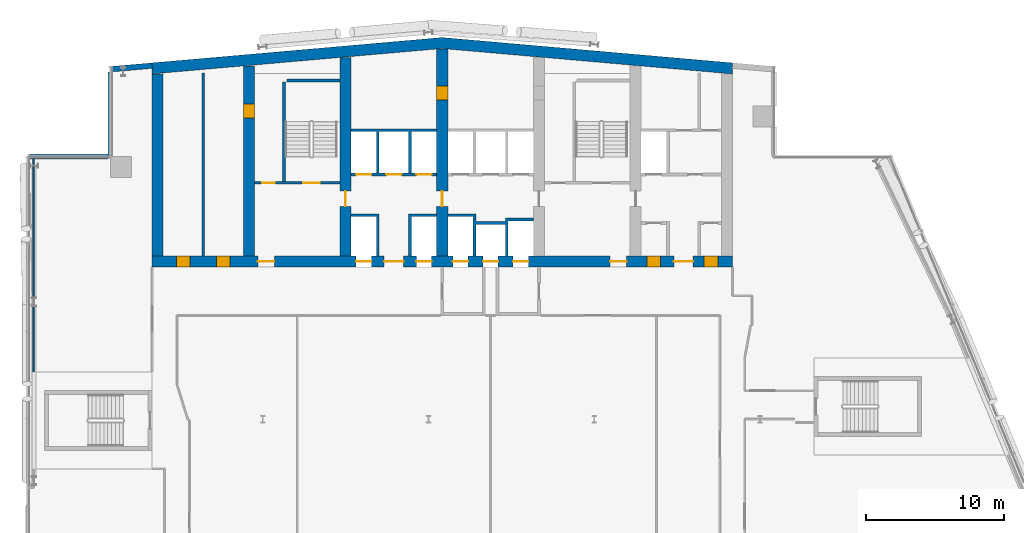
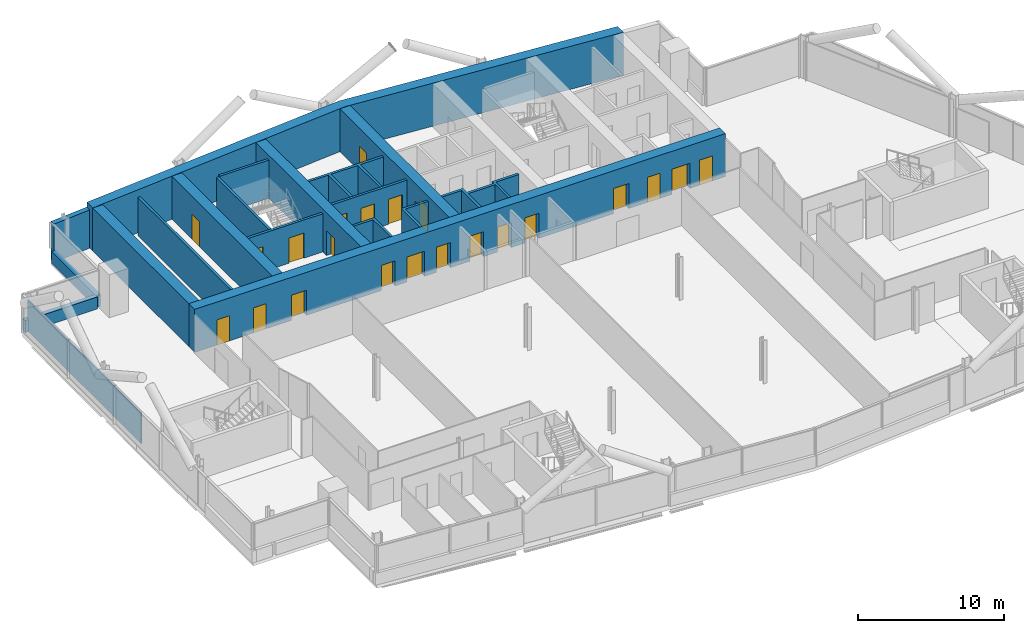
# One storey, part 18 of 26: 22 doors, 19 walls, 22 openings.
"""IFC4 building model written with IfcOpenShell, lengths in metres."""

from ifc_helpers import new_model, si_unit, direction, frame, frame_2d, origin, place, context, subcontext, project, spatial, polyline, rectangle, outline, extrude, material, layer, layer_set, type_object, element, fill, save


model = new_model("IFC4")

# Units and contexts
model_context = context("Model", 3, precision=1e-05, world=origin(), true_north=direction((0.0, 1.0)))
body_context = subcontext(model_context, "Body", "Model", "MODEL_VIEW")
ifc_project = project(units=[si_unit("LENGTHUNIT", "METRE"), si_unit("AREAUNIT", "SQUARE_METRE"), si_unit("VOLUMEUNIT", "CUBIC_METRE"), si_unit("PLANEANGLEUNIT", "RADIAN"), si_unit("MASSUNIT", "GRAM", prefix="KILO")], contexts=[model_context])

# Site, building, storey
site_placement = place(None, origin())
site = spatial("IfcSite", under=ifc_project, at=site_placement, CompositionType="ELEMENT")
building_placement = place(site_placement, origin())
building = spatial("IfcBuilding", under=site, at=building_placement, Name="Wharfspan Tower", CompositionType="ELEMENT")
storey_placement = place(building_placement, frame((0.0, 0.0, 184.300049)))
storey = spatial("IfcBuildingStorey", under=building, at=storey_placement, Name="L45", CompositionType="ELEMENT", Elevation=184.300049)

# Walls
ifc_material_1 = material(Name="Calcium silicate masonry", Category="masonry")
ifc_layer_1 = layer(ifc_material_1, 0.199951)
ifc_layer_set_1 = layer_set([ifc_layer_1], Name="Calcium silicate masonry")
wall_type_1 = type_object("IfcWallType", Name="Core room wall 200", PredefinedType="PARTITIONING", material=ifc_layer_set_1)
wall_1_placement = place(storey_placement, frame((19.699951, 34.800049, 0.0), z_axis=(0.0, 0.0, 1.0), x_axis=(0.0, 1.0, 0.0)))
element("IfcWall", 1, at=wall_1_placement, inside=storey, type_object=wall_type_1, Name="sw:L45:RM1", PredefinedType="PARTITIONING", context=body_context, shape_type="SweptSolid", body=[
    extrude(rectangle(XDim=13.234131, YDim=0.199951, at=frame_2d((6.617188, 0.0))), origin(), (0.0, 0.0, 1.0), 3.199951),
])
ifc_material_2 = material(Name="Concrete C60/75", Category="concrete")
ifc_layer_2 = layer(ifc_material_2, 0.800049)
ifc_layer_set_2 = layer_set([ifc_layer_2], Name="Concrete C60/75")
wall_type_2 = type_object("IfcWallType", Name="Core wall 800 C60/75", PredefinedType="SHEAR", material=ifc_layer_set_2)
wall_2_placement = place(storey_placement, frame((0.0, 0.0, -0.000244)))
element("IfcWall", 2, at=wall_2_placement, inside=storey, type_object=wall_type_2, Name="Core rear wall L45", PredefinedType="SHEAR", context=body_context, shape_type="SweptSolid", body=[
    extrude(outline(polyline([(16.0, 47.984375), (37.0, 49.821533), (58.0, 47.984375), (58.0, 48.787354), (37.0, 50.624756), (16.0, 48.787354), (16.0, 47.984375)])), origin(), (0.0, 0.0, 1.0), 3.600098),
])

# Wall, openings, doors
wall_3_placement = place(storey_placement, frame((16.0, 34.399902, 0.0), z_axis=(0.0, 0.0, 1.0), x_axis=(1.0, 0.0, 0.0)))
wall_3 = element("IfcWall", 3, at=wall_3_placement, inside=storey, type_object=wall_type_2, Name="Core front wall L45", PredefinedType="SHEAR", context=body_context, shape_type="SweptSolid", body=[
    extrude(rectangle(XDim=42.0, YDim=0.800049, at=frame_2d((21.0, 0.0))), origin(), (0.0, 0.0, 1.0), 3.599854),
])
opening_1_placement = place(wall_3_placement, frame((1.75, 0.0, 0.0)))
opening_1 = element("IfcOpeningElement", 4, at=opening_1_placement, cuts=wall_3, Name="Opening CD45.11", PredefinedType="OPENING", context=body_context, shape_type="SweptSolid", body=[
    extrude(rectangle(XDim=1.0, YDim=2.100098, at=frame_2d((0.5, 1.050049))), frame((0.0, 0.409912, 0.0), z_axis=(0.0, -1.0, 0.0), x_axis=(1.0, 0.0, 0.0)), (0.0, 0.0, 1.0), 0.820068),
])
opening_2_placement = place(wall_3_placement, frame((4.649902, 0.0, 0.0)))
opening_2 = element("IfcOpeningElement", 5, at=opening_2_placement, cuts=wall_3, Name="Opening CD45.12", PredefinedType="OPENING", context=body_context, shape_type="SweptSolid", body=[
    extrude(rectangle(XDim=1.0, YDim=2.100098, at=frame_2d((0.5, 1.050049))), frame((0.0, 0.409912, 0.0), z_axis=(0.0, -1.0, 0.0), x_axis=(1.0, 0.0, 0.0)), (0.0, 0.0, 1.0), 0.820068),
])
opening_3_placement = place(wall_3_placement, frame((7.649902, 0.0, 0.0)))
opening_3 = element("IfcOpeningElement", 6, at=opening_3_placement, cuts=wall_3, Name="Opening SV2.L45", PredefinedType="OPENING", context=body_context, shape_type="SweptSolid", body=[
    extrude(rectangle(XDim=1.199951, YDim=2.100098, at=frame_2d((0.600098, 1.050049))), frame((0.0, 0.409912, 0.0), z_axis=(0.0, -1.0, 0.0), x_axis=(1.0, 0.0, 0.0)), (0.0, 0.0, 1.0), 0.820068),
])
opening_4_placement = place(wall_3_placement, frame((14.766602, 0.0, 0.0)))
opening_4 = element("IfcOpeningElement", 7, at=opening_4_placement, cuts=wall_3, Name="Opening LD.SL1.L45", PredefinedType="OPENING", context=body_context, shape_type="SweptSolid", body=[
    extrude(rectangle(XDim=1.100098, YDim=2.100098, at=frame_2d((0.550049, 1.050049))), frame((0.0, 0.409912, 0.0), z_axis=(0.0, -1.0, 0.0), x_axis=(1.0, 0.0, 0.0)), (0.0, 0.0, 1.0), 0.820068),
])
opening_5_placement = place(wall_3_placement, frame((19.133301, 0.0, 0.0)))
opening_5 = element("IfcOpeningElement", 8, at=opening_5_placement, cuts=wall_3, Name="Opening LD.SL2.L45", PredefinedType="OPENING", context=body_context, shape_type="SweptSolid", body=[
    extrude(rectangle(XDim=1.100098, YDim=2.100098, at=frame_2d((0.550049, 1.050049))), frame((0.0, 0.409912, 0.0), z_axis=(0.0, -1.0, 0.0), x_axis=(1.0, 0.0, 0.0)), (0.0, 0.0, 1.0), 0.820068),
])
opening_6_placement = place(wall_3_placement, frame((16.800049, 0.0, 0.0)))
opening_6 = element("IfcOpeningElement", 9, at=opening_6_placement, cuts=wall_3, Name="Opening HD45.3", PredefinedType="OPENING", context=body_context, shape_type="SweptSolid", body=[
    extrude(rectangle(XDim=1.399902, YDim=2.100098, at=frame_2d((0.699951, 1.050049))), frame((0.0, 0.409912, 0.0), z_axis=(0.0, -1.0, 0.0), x_axis=(1.0, 0.0, 0.0)), (0.0, 0.0, 1.0), 0.820068),
])
opening_7_placement = place(wall_3_placement, frame((21.766602, 0.0, 0.0)))
opening_7 = element("IfcOpeningElement", 10, at=opening_7_placement, cuts=wall_3, Name="Opening LD.FF1.L45", PredefinedType="OPENING", context=body_context, shape_type="SweptSolid", body=[
    extrude(rectangle(XDim=1.100098, YDim=2.100098, at=frame_2d((0.550049, 1.050049))), frame((0.0, 0.409912, 0.0), z_axis=(0.0, -1.0, 0.0), x_axis=(1.0, 0.0, 0.0)), (0.0, 0.0, 1.0), 0.820068),
])
opening_8_placement = place(wall_3_placement, frame((23.949951, 0.0, 0.0)))
opening_8 = element("IfcOpeningElement", 11, at=opening_8_placement, cuts=wall_3, Name="Opening LD.LB7.L45", PredefinedType="OPENING", context=body_context, shape_type="SweptSolid", body=[
    extrude(rectangle(XDim=1.100098, YDim=2.100098, at=frame_2d((0.550049, 1.050049))), frame((0.0, 0.409912, 0.0), z_axis=(0.0, -1.0, 0.0), x_axis=(1.0, 0.0, 0.0)), (0.0, 0.0, 1.0), 0.820068),
])
opening_9_placement = place(wall_3_placement, frame((26.133301, 0.0, 0.0)))
opening_9 = element("IfcOpeningElement", 12, at=opening_9_placement, cuts=wall_3, Name="Opening LD.FF2.L45", PredefinedType="OPENING", context=body_context, shape_type="SweptSolid", body=[
    extrude(rectangle(XDim=1.100098, YDim=2.100098, at=frame_2d((0.550049, 1.050049))), frame((0.0, 0.409912, 0.0), z_axis=(0.0, -1.0, 0.0), x_axis=(1.0, 0.0, 0.0)), (0.0, 0.0, 1.0), 0.820068),
])
opening_10_placement = place(wall_3_placement, frame((33.149902, 0.0, 0.0)))
opening_10 = element("IfcOpeningElement", 13, at=opening_10_placement, cuts=wall_3, Name="Opening SV5.L45", PredefinedType="OPENING", context=body_context, shape_type="SweptSolid", body=[
    extrude(rectangle(XDim=1.199951, YDim=2.100098, at=frame_2d((0.600098, 1.050049))), frame((0.0, 0.409912, 0.0), z_axis=(0.0, -1.0, 0.0), x_axis=(1.0, 0.0, 0.0)), (0.0, 0.0, 1.0), 0.820068),
])
opening_11_placement = place(wall_3_placement, frame((35.81665, 0.0, 0.0)))
opening_11 = element("IfcOpeningElement", 14, at=opening_11_placement, cuts=wall_3, Name="Opening CD45.6F1", PredefinedType="OPENING", context=body_context, shape_type="SweptSolid", body=[
    extrude(rectangle(XDim=1.0, YDim=2.100098, at=frame_2d((0.5, 1.050049))), frame((0.0, 0.409912, 0.0), z_axis=(0.0, -1.0, 0.0), x_axis=(1.0, 0.0, 0.0)), (0.0, 0.0, 1.0), 0.820068),
])
opening_12_placement = place(wall_3_placement, frame((39.949951, 0.0, 0.0)))
opening_12 = element("IfcOpeningElement", 15, at=opening_12_placement, cuts=wall_3, Name="Opening CD45.6F3", PredefinedType="OPENING", context=body_context, shape_type="SweptSolid", body=[
    extrude(rectangle(XDim=1.0, YDim=2.100098, at=frame_2d((0.5, 1.050049))), frame((0.0, 0.409912, 0.0), z_axis=(0.0, -1.0, 0.0), x_axis=(1.0, 0.0, 0.0)), (0.0, 0.0, 1.0), 0.820068),
])
opening_13_placement = place(wall_3_placement, frame((37.766602, 0.0, 0.0)))
opening_13 = element("IfcOpeningElement", 16, at=opening_13_placement, cuts=wall_3, Name="Opening HD45.6", PredefinedType="OPENING", context=body_context, shape_type="SweptSolid", body=[
    extrude(rectangle(XDim=1.399902, YDim=2.100098, at=frame_2d((0.699951, 1.050049))), frame((0.0, 0.409912, 0.0), z_axis=(0.0, -1.0, 0.0), x_axis=(1.0, 0.0, 0.0)), (0.0, 0.0, 1.0), 0.820068),
])
ifc_material_3 = material(Name="Steel door leaf", Category="steel")
door_type_1 = type_object("IfcDoorType", Name="Core room door 1000x2100", OperationType="SINGLE_SWING_LEFT", PredefinedType="DOOR", material=ifc_material_3)
door_1_placement = place(opening_1_placement, origin())
door_1 = element("IfcDoor", 17, at=door_1_placement, inside=storey, type_object=door_type_1, Name="d:L45:1:rf", OperationType="SINGLE_SWING_LEFT", OverallHeight=2.100098, OverallWidth=1.0, PredefinedType="DOOR", context=body_context, shape_type="SweptSolid", body=[
    extrude(rectangle(XDim=1.0, YDim=2.100098, at=frame_2d((0.5, 1.050049))), frame((0.0, 0.399902, 0.0), z_axis=(0.0, -1.0, 0.0), x_axis=(1.0, 0.0, 0.0)), (0.0, 0.0, 1.0), 0.799561),
])
fill(opening_1, door_1)
door_2_placement = place(opening_2_placement, origin())
door_2 = element("IfcDoor", 18, at=door_2_placement, inside=storey, type_object=door_type_1, Name="d:L45:1:rr", OperationType="SINGLE_SWING_RIGHT", OverallHeight=2.100098, OverallWidth=1.0, PredefinedType="DOOR", context=body_context, shape_type="SweptSolid", body=[
    extrude(rectangle(XDim=1.0, YDim=2.100098, at=frame_2d((0.5, 1.050049))), frame((0.0, 0.399902, 0.0), z_axis=(0.0, -1.0, 0.0), x_axis=(1.0, 0.0, 0.0)), (0.0, 0.0, 1.0), 0.799561),
])
fill(opening_2, door_2)
door_3_placement = place(opening_11_placement, origin())
door_3 = element("IfcDoor", 19, at=door_3_placement, inside=storey, type_object=door_type_1, Name="d:L45:6:fd6.1", OperationType="SINGLE_SWING_LEFT", OverallHeight=2.100098, OverallWidth=1.0, PredefinedType="DOOR", context=body_context, shape_type="SweptSolid", body=[
    extrude(rectangle(XDim=1.0, YDim=2.100098, at=frame_2d((0.5, 1.050049))), frame((0.0, 0.399902, 0.0), z_axis=(0.0, -1.0, 0.0), x_axis=(1.0, 0.0, 0.0)), (0.0, 0.0, 1.0), 0.799561),
])
fill(opening_11, door_3)
door_4_placement = place(opening_12_placement, origin())
door_4 = element("IfcDoor", 20, at=door_4_placement, inside=storey, type_object=door_type_1, Name="d:L45:6:fd6.3", OperationType="SINGLE_SWING_LEFT", OverallHeight=2.100098, OverallWidth=1.0, PredefinedType="DOOR", context=body_context, shape_type="SweptSolid", body=[
    extrude(rectangle(XDim=1.0, YDim=2.100098, at=frame_2d((0.5, 1.050049))), frame((0.0, 0.399902, 0.0), z_axis=(0.0, -1.0, 0.0), x_axis=(1.0, 0.0, 0.0)), (0.0, 0.0, 1.0), 0.799561),
])
fill(opening_12, door_4)
door_type_2 = type_object("IfcDoorType", Name="Hall entry door 1400x2100", OperationType="DOUBLE_DOOR_SINGLE_SWING", PredefinedType="DOOR", material=ifc_material_3)
door_5_placement = place(opening_6_placement, origin())
door_5 = element("IfcDoor", 21, at=door_5_placement, inside=storey, type_object=door_type_2, Name="d:L45:3:hd3", OperationType="DOUBLE_DOOR_SINGLE_SWING", OverallHeight=2.100098, OverallWidth=1.399902, PredefinedType="DOOR", context=body_context, shape_type="SweptSolid", body=[
    extrude(rectangle(XDim=1.399902, YDim=2.100098, at=frame_2d((0.699951, 1.050049))), frame((0.0, 0.024902, 0.0), z_axis=(0.0, -1.0, 0.0), x_axis=(1.0, 0.0, 0.0)), (0.0, 0.0, 1.0), 0.050049),
])
fill(opening_6, door_5)
door_6_placement = place(opening_13_placement, origin())
door_6 = element("IfcDoor", 22, at=door_6_placement, inside=storey, type_object=door_type_2, Name="d:L45:6:hd6", OperationType="DOUBLE_DOOR_SINGLE_SWING", OverallHeight=2.100098, OverallWidth=1.399902, PredefinedType="DOOR", context=body_context, shape_type="SweptSolid", body=[
    extrude(rectangle(XDim=1.399902, YDim=2.100098, at=frame_2d((0.699951, 1.050049))), frame((0.0, 0.024902, 0.0), z_axis=(0.0, -1.0, 0.0), x_axis=(1.0, 0.0, 0.0)), (0.0, 0.0, 1.0), 0.050049),
])
fill(opening_13, door_6)
ifc_material_4 = material(Name="Stainless steel", Category="steel")
door_type_3 = type_object("IfcDoorType", Name="Lift landing door 1100x2100", OperationType="DOUBLE_DOOR_SLIDING", PredefinedType="DOOR", material=ifc_material_4)
door_7_placement = place(opening_4_placement, origin())
door_7 = element("IfcDoor", 23, at=door_7_placement, inside=storey, type_object=door_type_3, Name="Landing door SL1 L45", OperationType="DOUBLE_DOOR_SLIDING", OverallHeight=2.100098, OverallWidth=1.100098, PredefinedType="DOOR", context=body_context, shape_type="SweptSolid", body=[
    extrude(rectangle(XDim=1.100098, YDim=2.100098, at=frame_2d((0.550049, 1.050049))), frame((0.0, 0.024902, 0.0), z_axis=(0.0, -1.0, 0.0), x_axis=(1.0, 0.0, 0.0)), (0.0, 0.0, 1.0), 0.050049),
])
fill(opening_4, door_7)
door_8_placement = place(opening_5_placement, origin())
door_8 = element("IfcDoor", 24, at=door_8_placement, inside=storey, type_object=door_type_3, Name="Landing door SL2 L45", OperationType="DOUBLE_DOOR_SLIDING", OverallHeight=2.100098, OverallWidth=1.100098, PredefinedType="DOOR", context=body_context, shape_type="SweptSolid", body=[
    extrude(rectangle(XDim=1.100098, YDim=2.100098, at=frame_2d((0.550049, 1.050049))), frame((0.0, 0.024902, 0.0), z_axis=(0.0, -1.0, 0.0), x_axis=(1.0, 0.0, 0.0)), (0.0, 0.0, 1.0), 0.050049),
])
fill(opening_5, door_8)
door_9_placement = place(opening_7_placement, origin())
door_9 = element("IfcDoor", 25, at=door_9_placement, inside=storey, type_object=door_type_3, Name="Landing door FF1 L45", OperationType="DOUBLE_DOOR_SLIDING", OverallHeight=2.100098, OverallWidth=1.100098, PredefinedType="DOOR", context=body_context, shape_type="SweptSolid", body=[
    extrude(rectangle(XDim=1.100098, YDim=2.100098, at=frame_2d((0.550049, 1.050049))), frame((0.0, 0.024902, 0.0), z_axis=(0.0, -1.0, 0.0), x_axis=(1.0, 0.0, 0.0)), (0.0, 0.0, 1.0), 0.050049),
])
fill(opening_7, door_9)
door_10_placement = place(opening_8_placement, origin())
door_10 = element("IfcDoor", 26, at=door_10_placement, inside=storey, type_object=door_type_3, Name="Landing door LB7 L45", OperationType="DOUBLE_DOOR_SLIDING", OverallHeight=2.100098, OverallWidth=1.100098, PredefinedType="DOOR", context=body_context, shape_type="SweptSolid", body=[
    extrude(rectangle(XDim=1.100098, YDim=2.100098, at=frame_2d((0.550049, 1.050049))), frame((0.0, 0.024902, 0.0), z_axis=(0.0, -1.0, 0.0), x_axis=(1.0, 0.0, 0.0)), (0.0, 0.0, 1.0), 0.050049),
])
fill(opening_8, door_10)
door_11_placement = place(opening_9_placement, origin())
door_11 = element("IfcDoor", 27, at=door_11_placement, inside=storey, type_object=door_type_3, Name="Landing door FF2 L45", OperationType="DOUBLE_DOOR_SLIDING", OverallHeight=2.100098, OverallWidth=1.100098, PredefinedType="DOOR", context=body_context, shape_type="SweptSolid", body=[
    extrude(rectangle(XDim=1.100098, YDim=2.100098, at=frame_2d((0.550049, 1.050049))), frame((0.0, 0.024902, 0.0), z_axis=(0.0, -1.0, 0.0), x_axis=(1.0, 0.0, 0.0)), (0.0, 0.0, 1.0), 0.050049),
])
fill(opening_9, door_11)
door_type_4 = type_object("IfcDoorType", Name="Stair door 1200x2100", OperationType="SINGLE_SWING_LEFT", PredefinedType="DOOR", material=ifc_material_3)
door_12_placement = place(opening_3_placement, origin())
door_12 = element("IfcDoor", 28, at=door_12_placement, inside=storey, type_object=door_type_4, Name="vd:L45:2", OperationType="SINGLE_SWING_LEFT", OverallHeight=2.100098, OverallWidth=1.199951, PredefinedType="DOOR", context=body_context, shape_type="SweptSolid", body=[
    extrude(rectangle(XDim=1.199951, YDim=2.100098, at=frame_2d((0.600098, 1.050049))), frame((0.0, 0.024902, 0.0), z_axis=(0.0, -1.0, 0.0), x_axis=(1.0, 0.0, 0.0)), (0.0, 0.0, 1.0), 0.050049),
])
fill(opening_3, door_12)
door_13_placement = place(opening_10_placement, origin())
door_13 = element("IfcDoor", 29, at=door_13_placement, inside=storey, type_object=door_type_4, Name="vd:L45:5", OperationType="SINGLE_SWING_LEFT", OverallHeight=2.100098, OverallWidth=1.199951, PredefinedType="DOOR", context=body_context, shape_type="SweptSolid", body=[
    extrude(rectangle(XDim=1.199951, YDim=2.100098, at=frame_2d((0.600098, 1.050049))), frame((0.0, 0.024902, 0.0), z_axis=(0.0, -1.0, 0.0), x_axis=(1.0, 0.0, 0.0)), (0.0, 0.0, 1.0), 0.050049),
])
fill(opening_10, door_13)

# Wall
wall_4_placement = place(storey_placement, frame((16.399902, 34.800049, 0.0), z_axis=(0.0, 0.0, 1.0), x_axis=(0.0, 1.0, 0.0)))
element("IfcWall", 30, at=wall_4_placement, inside=storey, type_object=wall_type_2, Name="Core cross wall EW0 L45", PredefinedType="SHEAR", context=body_context, shape_type="SweptSolid", body=[
    extrude(rectangle(XDim=13.184326, YDim=0.800049, at=frame_2d((6.592285, 0.0))), origin(), (0.0, 0.0, 1.0), 3.599854),
])

# Wall, opening, door
wall_5_placement = place(storey_placement, frame((23.0, 34.800049, 0.0), z_axis=(0.0, 0.0, 1.0), x_axis=(0.0, 1.0, 0.0)))
wall_5 = element("IfcWall", 31, at=wall_5_placement, inside=storey, type_object=wall_type_2, Name="Core cross wall X2 L45", PredefinedType="SHEAR", context=body_context, shape_type="SweptSolid", body=[
    extrude(rectangle(XDim=13.761719, YDim=0.800049, at=frame_2d((6.880859, 0.0))), origin(), (0.0, 0.0, 1.0), 3.599854),
])
opening_14_placement = place(wall_5_placement, frame((10.0, 0.0, 0.0)))
opening_14 = element("IfcOpeningElement", 32, at=opening_14_placement, cuts=wall_5, Name="Opening CR45.2", PredefinedType="OPENING", context=body_context, shape_type="SweptSolid", body=[
    extrude(rectangle(XDim=1.0, YDim=2.100098, at=frame_2d((0.5, 1.050049))), frame((0.0, 0.409912, 0.0), z_axis=(0.0, -1.0, 0.0), x_axis=(1.0, 0.0, 0.0)), (0.0, 0.0, 1.0), 0.820068),
])
door_14_placement = place(opening_14_placement, origin())
door_14 = element("IfcDoor", 33, at=door_14_placement, inside=storey, type_object=door_type_1, Name="xr:L45:2", OperationType="SINGLE_SWING_RIGHT", OverallHeight=2.100098, OverallWidth=1.0, PredefinedType="DOOR", context=body_context, shape_type="SweptSolid", body=[
    extrude(rectangle(XDim=1.0, YDim=2.100098, at=frame_2d((0.5, 1.050049))), frame((0.0, 0.399902, 0.0), z_axis=(0.0, -1.0, 0.0), x_axis=(1.0, 0.0, 0.0)), (0.0, 0.0, 1.0), 0.799561),
])
fill(opening_14, door_14)

wall_6_placement = place(storey_placement, frame((30.0, 34.800049, 0.0), z_axis=(0.0, 0.0, 1.0), x_axis=(0.0, 1.0, 0.0)))
wall_6 = element("IfcWall", 34, at=wall_6_placement, inside=storey, type_object=wall_type_2, Name="Core cross wall X3 L45", PredefinedType="SHEAR", context=body_context, shape_type="SweptSolid", body=[
    extrude(rectangle(XDim=14.374023, YDim=0.800049, at=frame_2d((7.187012, 0.0))), origin(), (0.0, 0.0, 1.0), 3.599854),
])
opening_15_placement = place(wall_6_placement, frame((3.600098, 0.0, 0.0)))
opening_15 = element("IfcOpeningElement", 35, at=opening_15_placement, cuts=wall_6, Name="Opening CC45.3", PredefinedType="OPENING", context=body_context, shape_type="SweptSolid", body=[
    extrude(rectangle(XDim=1.100098, YDim=2.100098, at=frame_2d((0.550049, 1.050049))), frame((0.0, 0.409912, 0.0), z_axis=(0.0, -1.0, 0.0), x_axis=(1.0, 0.0, 0.0)), (0.0, 0.0, 1.0), 0.820068),
])
door_type_5 = type_object("IfcDoorType", Name="Core corridor door 1100x2100", OperationType="SINGLE_SWING_LEFT", PredefinedType="DOOR", material=ifc_material_3)
door_15_placement = place(opening_15_placement, origin())
door_15 = element("IfcDoor", 36, at=door_15_placement, inside=storey, type_object=door_type_5, Name="xd:L45:3", OperationType="SINGLE_SWING_LEFT", OverallHeight=2.100098, OverallWidth=1.100098, PredefinedType="DOOR", context=body_context, shape_type="SweptSolid", body=[
    extrude(rectangle(XDim=1.100098, YDim=2.100098, at=frame_2d((0.550049, 1.050049))), frame((0.0, 0.024902, 0.0), z_axis=(0.0, -1.0, 0.0), x_axis=(1.0, 0.0, 0.0)), (0.0, 0.0, 1.0), 0.050049),
])
fill(opening_15, door_15)

# Wall, openings, doors
wall_7_placement = place(storey_placement, frame((37.0, 34.800049, 0.0), z_axis=(0.0, 0.0, 1.0), x_axis=(0.0, 1.0, 0.0)))
wall_7 = element("IfcWall", 37, at=wall_7_placement, inside=storey, type_object=wall_type_2, Name="Core cross wall X4 L45", PredefinedType="SHEAR", context=body_context, shape_type="SweptSolid", body=[
    extrude(rectangle(XDim=14.986572, YDim=0.800049, at=frame_2d((7.493164, 0.0))), origin(), (0.0, 0.0, 1.0), 3.599854),
])
opening_16_placement = place(wall_7_placement, frame((11.312012, 0.0, 0.0)))
opening_16 = element("IfcOpeningElement", 38, at=opening_16_placement, cuts=wall_7, Name="Opening CD45.3X", PredefinedType="OPENING", context=body_context, shape_type="SweptSolid", body=[
    extrude(rectangle(XDim=1.0, YDim=2.100098, at=frame_2d((0.5, 1.050049))), frame((0.0, 0.409912, 0.0), z_axis=(0.0, -1.0, 0.0), x_axis=(1.0, 0.0, 0.0)), (0.0, 0.0, 1.0), 0.820068),
])
opening_17_placement = place(wall_7_placement, frame((3.600098, 0.0, 0.0)))
opening_17 = element("IfcOpeningElement", 39, at=opening_17_placement, cuts=wall_7, Name="Opening CC45.4", PredefinedType="OPENING", context=body_context, shape_type="SweptSolid", body=[
    extrude(rectangle(XDim=1.100098, YDim=2.100098, at=frame_2d((0.550049, 1.050049))), frame((0.0, 0.409912, 0.0), z_axis=(0.0, -1.0, 0.0), x_axis=(1.0, 0.0, 0.0)), (0.0, 0.0, 1.0), 0.820068),
])
door_16_placement = place(opening_17_placement, origin())
door_16 = element("IfcDoor", 40, at=door_16_placement, inside=storey, type_object=door_type_5, Name="xd:L45:4", OperationType="SINGLE_SWING_RIGHT", OverallHeight=2.100098, OverallWidth=1.100098, PredefinedType="DOOR", context=body_context, shape_type="SweptSolid", body=[
    extrude(rectangle(XDim=1.100098, YDim=2.100098, at=frame_2d((0.550049, 1.050049))), frame((0.0, 0.024902, 0.0), z_axis=(0.0, -1.0, 0.0), x_axis=(1.0, 0.0, 0.0)), (0.0, 0.0, 1.0), 0.050049),
])
fill(opening_17, door_16)
door_17_placement = place(opening_16_placement, origin())
door_17 = element("IfcDoor", 41, at=door_17_placement, inside=storey, type_object=door_type_1, Name="d:L45:3:sx", OperationType="SINGLE_SWING_LEFT", OverallHeight=2.100098, OverallWidth=1.0, PredefinedType="DOOR", context=body_context, shape_type="SweptSolid", body=[
    extrude(rectangle(XDim=1.0, YDim=2.100098, at=frame_2d((0.5, 1.050049))), frame((0.0, 0.399902, 0.0), z_axis=(0.0, -1.0, 0.0), x_axis=(1.0, 0.0, 0.0)), (0.0, 0.0, 1.0), 0.799561),
])
fill(opening_16, door_17)

ifc_material_5 = material(Name="Concrete C30/37", Category="concrete")
ifc_layer_3 = layer(ifc_material_5, 0.199951)
ifc_layer_set_3 = layer_set([ifc_layer_3], Name="Concrete C30/37")
wall_type_3 = type_object("IfcWallType", Name="Lift shaft wall 200", PredefinedType="PARTITIONING", material=ifc_layer_set_3)
wall_8_placement = place(storey_placement, frame((30.399902, 40.699951, 0.0), z_axis=(0.0, 0.0, 1.0), x_axis=(1.0, 0.0, 0.0)))
wall_8 = element("IfcWall", 42, at=wall_8_placement, inside=storey, type_object=wall_type_3, Name="sw:L45:RF3", PredefinedType="PARTITIONING", context=body_context, shape_type="SweptSolid", body=[
    extrude(rectangle(XDim=6.200195, YDim=0.199951, at=frame_2d((3.100098, 0.0))), origin(), (0.0, 0.0, 1.0), 3.199951),
])
opening_18_placement = place(wall_8_placement, frame((0.366699, 0.0, 0.0)))
opening_18 = element("IfcOpeningElement", 43, at=opening_18_placement, cuts=wall_8, Name="Opening LD.LB1.L45", PredefinedType="OPENING", context=body_context, shape_type="SweptSolid", body=[
    extrude(rectangle(XDim=1.100098, YDim=2.100098, at=frame_2d((0.550049, 1.050049))), frame((0.0, 0.109863, 0.0), z_axis=(0.0, -1.0, 0.0), x_axis=(1.0, 0.0, 0.0)), (0.0, 0.0, 1.0), 0.219971),
])
opening_19_placement = place(wall_8_placement, frame((2.550049, 0.0, 0.0)))
opening_19 = element("IfcOpeningElement", 44, at=opening_19_placement, cuts=wall_8, Name="Opening LD.LB2.L45", PredefinedType="OPENING", context=body_context, shape_type="SweptSolid", body=[
    extrude(rectangle(XDim=1.100098, YDim=2.100098, at=frame_2d((0.550049, 1.050049))), frame((0.0, 0.109863, 0.0), z_axis=(0.0, -1.0, 0.0), x_axis=(1.0, 0.0, 0.0)), (0.0, 0.0, 1.0), 0.219971),
])
opening_20_placement = place(wall_8_placement, frame((4.733398, 0.0, 0.0)))
opening_20 = element("IfcOpeningElement", 45, at=opening_20_placement, cuts=wall_8, Name="Opening LD.LB3.L45", PredefinedType="OPENING", context=body_context, shape_type="SweptSolid", body=[
    extrude(rectangle(XDim=1.100098, YDim=2.100098, at=frame_2d((0.550049, 1.050049))), frame((0.0, 0.109863, 0.0), z_axis=(0.0, -1.0, 0.0), x_axis=(1.0, 0.0, 0.0)), (0.0, 0.0, 1.0), 0.219971),
])
door_18_placement = place(opening_18_placement, origin())
door_18 = element("IfcDoor", 46, at=door_18_placement, inside=storey, type_object=door_type_3, Name="Landing door LB1 L45", OperationType="DOUBLE_DOOR_SLIDING", OverallHeight=2.100098, OverallWidth=1.100098, PredefinedType="DOOR", context=body_context, shape_type="SweptSolid", body=[
    extrude(rectangle(XDim=1.100098, YDim=2.100098, at=frame_2d((0.550049, 1.050049))), frame((0.0, 0.024902, 0.0), z_axis=(0.0, -1.0, 0.0), x_axis=(1.0, 0.0, 0.0)), (0.0, 0.0, 1.0), 0.050049),
])
fill(opening_18, door_18)
door_19_placement = place(opening_19_placement, origin())
door_19 = element("IfcDoor", 47, at=door_19_placement, inside=storey, type_object=door_type_3, Name="Landing door LB2 L45", OperationType="DOUBLE_DOOR_SLIDING", OverallHeight=2.100098, OverallWidth=1.100098, PredefinedType="DOOR", context=body_context, shape_type="SweptSolid", body=[
    extrude(rectangle(XDim=1.100098, YDim=2.100098, at=frame_2d((0.550049, 1.050049))), frame((0.0, 0.024902, 0.0), z_axis=(0.0, -1.0, 0.0), x_axis=(1.0, 0.0, 0.0)), (0.0, 0.0, 1.0), 0.050049),
])
fill(opening_19, door_19)
door_20_placement = place(opening_20_placement, origin())
door_20 = element("IfcDoor", 48, at=door_20_placement, inside=storey, type_object=door_type_3, Name="Landing door LB3 L45", OperationType="DOUBLE_DOOR_SLIDING", OverallHeight=2.100098, OverallWidth=1.100098, PredefinedType="DOOR", context=body_context, shape_type="SweptSolid", body=[
    extrude(rectangle(XDim=1.100098, YDim=2.100098, at=frame_2d((0.550049, 1.050049))), frame((0.0, 0.024902, 0.0), z_axis=(0.0, -1.0, 0.0), x_axis=(1.0, 0.0, 0.0)), (0.0, 0.0, 1.0), 0.050049),
])
fill(opening_20, door_20)

# Walls
wall_9_placement = place(storey_placement, frame((0.0, 0.0, -0.000244)))
element("IfcWall", 49, at=wall_9_placement, inside=storey, type_object=wall_type_3, Name="sw:L45:FM3.0", PredefinedType="PARTITIONING", context=body_context, shape_type="SweptSolid", body=[
    extrude(outline(polyline([(32.233398, 37.649902), (30.399902, 37.649902), (30.399902, 37.850098), (32.233398, 37.850098), (32.43335, 37.850098), (32.43335, 34.800049), (32.233398, 34.800049), (32.233398, 37.649902)])), origin(), (0.0, 0.0, 1.0), 3.200195),
])
wall_10_placement = place(storey_placement, frame((0.0, 0.0, -0.000244)))
element("IfcWall", 50, at=wall_10_placement, inside=storey, type_object=wall_type_3, Name="sw:L45:FM3.1", PredefinedType="PARTITIONING", context=body_context, shape_type="SweptSolid", body=[
    extrude(outline(polyline([(34.56665, 37.850098), (34.766602, 37.850098), (36.600098, 37.850098), (36.600098, 37.649902), (34.766602, 37.649902), (34.766602, 34.800049), (34.56665, 34.800049), (34.56665, 37.850098)])), origin(), (0.0, 0.0, 1.0), 3.200195),
])
wall_11_placement = place(storey_placement, frame((0.0, 0.0, -0.000244)))
element("IfcWall", 51, at=wall_11_placement, inside=storey, type_object=wall_type_3, Name="sw:L45:RM3.0", PredefinedType="PARTITIONING", context=body_context, shape_type="SweptSolid", body=[
    extrude(outline(polyline([(32.43335, 40.800049), (32.233398, 40.800049), (32.233398, 43.800049), (30.399902, 43.800049), (30.399902, 44.0), (36.600098, 44.0), (36.600098, 43.800049), (34.766602, 43.800049), (34.766602, 40.800049), (34.56665, 40.800049), (34.56665, 43.800049), (32.43335, 43.800049), (32.43335, 40.800049)])), origin(), (0.0, 0.0, 1.0), 3.200195),
])
wall_12_placement = place(storey_placement, frame((0.0, 0.0, -0.000244)))
element("IfcWall", 52, at=wall_12_placement, inside=storey, type_object=wall_type_3, Name="sw:L45:FM4.0", PredefinedType="PARTITIONING", context=body_context, shape_type="SweptSolid", body=[
    extrude(outline(polyline([(41.56665, 37.100098), (39.43335, 37.100098), (39.43335, 34.800049), (39.233398, 34.800049), (39.233398, 37.649902), (37.399902, 37.649902), (37.399902, 37.850098), (39.233398, 37.850098), (39.43335, 37.850098), (39.43335, 37.300049), (41.56665, 37.300049), (41.56665, 37.550049), (41.766602, 37.550049), (43.600098, 37.550049), (43.600098, 37.350098), (41.766602, 37.350098), (41.766602, 34.800049), (41.56665, 34.800049), (41.56665, 37.100098)])), origin(), (0.0, 0.0, 1.0), 3.200195),
])
ifc_material_6 = material(Name="Gypsum board on steel studs", Category="steel")
ifc_layer_4 = layer(ifc_material_6, 0.100098)
ifc_layer_set_4 = layer_set([ifc_layer_4], Name="Gypsum board on steel studs")
wall_type_4 = type_object("IfcWallType", Name="Partition 100", PredefinedType="PARTITIONING", material=ifc_layer_set_4)
wall_13_placement = place(storey_placement, frame((7.419922, 26.419922, 0.0), z_axis=(0.0, 0.0, 1.0), x_axis=(0.0, 1.0, 0.0)))
element("IfcWall", 53, at=wall_13_placement, inside=storey, type_object=wall_type_4, Name="Partition L45.w003", PredefinedType="PARTITIONING", context=body_context, shape_type="SweptSolid", body=[
    extrude(rectangle(XDim=15.560059, YDim=0.100098, at=frame_2d((7.780029, 0.0))), origin(), (0.0, 0.0, 1.0), 2.579834),
])
ifc_material_7 = material(Name="Concrete C40/50", Category="concrete")
ifc_layer_5 = layer(ifc_material_7, 0.350098)
ifc_layer_set_5 = layer_set([ifc_layer_5], Name="Concrete C40/50")
wall_type_5 = type_object("IfcWallType", Name="SPANDREL EXPOSED CONCRETE 350", PredefinedType="SOLIDWALL", material=ifc_layer_set_5)
wall_14_placement = place(storey_placement, frame((12.995117, 48.126465, 0.0), z_axis=(0.0, 0.0, 1.0), x_axis=(0.0, -1.0, 0.0)))
element("IfcWall", 54, at=wall_14_placement, inside=storey, type_object=wall_type_5, Name="Spandrel upstand L45 NRW-V", PredefinedType="SOLIDWALL", context=body_context, shape_type="SweptSolid", body=[
    extrude(rectangle(XDim=6.126465, YDim=0.350098, at=frame_2d((3.063232, 0.0))), origin(), (0.0, 0.0, 1.0), 1.0),
])
wall_15_placement = place(storey_placement, frame((12.820068, 42.004883, 0.0), z_axis=(0.0, 0.0, 1.0), x_axis=(-1.0, 0.0, 0.0)))
element("IfcWall", 55, at=wall_15_placement, inside=storey, type_object=wall_type_5, Name="Spandrel upstand L45 NRW-H", PredefinedType="SOLIDWALL", context=body_context, shape_type="SweptSolid", body=[
    extrude(rectangle(XDim=5.699951, YDim=0.350098, at=frame_2d((2.850098, 0.0))), origin(), (0.0, 0.0, 1.0), 1.0),
])

# Wall, openings, doors
ifc_layer_6 = layer(ifc_material_7, 0.199951)
ifc_layer_set_6 = layer_set([ifc_layer_6], Name="Concrete C40/50")
wall_type_6 = type_object("IfcWallType", Name="Stair shaft wall 200", PredefinedType="SHEAR", material=ifc_layer_set_6)
wall_16_placement = place(storey_placement, frame((23.399902, 40.100098, 0.0), z_axis=(0.0, 0.0, 1.0), x_axis=(1.0, 0.0, 0.0)))
wall_16 = element("IfcWall", 56, at=wall_16_placement, inside=storey, type_object=wall_type_6, Name="ST1 stair enclosure wall L45", PredefinedType="SHEAR", context=body_context, shape_type="SweptSolid", body=[
    extrude(rectangle(XDim=6.200195, YDim=0.199951, at=frame_2d((3.100098, 0.0))), origin(), (0.0, 0.0, 1.0), 3.199951),
])
opening_21_placement = place(wall_16_placement, frame((3.524902, 0.0, 0.0)))
opening_21 = element("IfcOpeningElement", 57, at=opening_21_placement, cuts=wall_16, Name="Opening SD2.L45", PredefinedType="OPENING", context=body_context, shape_type="SweptSolid", body=[
    extrude(rectangle(XDim=1.199951, YDim=2.100098, at=frame_2d((0.600098, 1.050049))), frame((0.0, 0.109863, 0.0), z_axis=(0.0, -1.0, 0.0), x_axis=(1.0, 0.0, 0.0)), (0.0, 0.0, 1.0), 0.219971),
])
opening_22_placement = place(wall_16_placement, frame((0.574951, 0.0, 0.0)))
opening_22 = element("IfcOpeningElement", 58, at=opening_22_placement, cuts=wall_16, Name="Opening CD45.2R", PredefinedType="OPENING", context=body_context, shape_type="SweptSolid", body=[
    extrude(rectangle(XDim=0.899902, YDim=2.100098, at=frame_2d((0.449951, 1.050049))), frame((0.0, 0.109863, 0.0), z_axis=(0.0, -1.0, 0.0), x_axis=(1.0, 0.0, 0.0)), (0.0, 0.0, 1.0), 0.219971),
])
door_21_placement = place(opening_22_placement, origin())
door_21 = element("IfcDoor", 59, at=door_21_placement, inside=storey, type_object=door_type_1, Name="rk:L45:2", OperationType="SINGLE_SWING_LEFT", OverallHeight=2.100098, OverallWidth=0.899902, PredefinedType="DOOR", context=body_context, shape_type="SweptSolid", body=[
    extrude(rectangle(XDim=0.899902, YDim=2.100098, at=frame_2d((0.449951, 1.050049))), frame((0.0, 0.024902, 0.0), z_axis=(0.0, -1.0, 0.0), x_axis=(1.0, 0.0, 0.0)), (0.0, 0.0, 1.0), 0.050049),
])
fill(opening_22, door_21)
door_22_placement = place(opening_21_placement, origin())
door_22 = element("IfcDoor", 60, at=door_22_placement, inside=storey, type_object=door_type_4, Name="sd:L45:2", OperationType="SINGLE_SWING_RIGHT", OverallHeight=2.100098, OverallWidth=1.199951, PredefinedType="DOOR", context=body_context, shape_type="SweptSolid", body=[
    extrude(rectangle(XDim=1.199951, YDim=2.100098, at=frame_2d((0.600098, 1.050049))), frame((0.0, 0.024902, 0.0), z_axis=(0.0, -1.0, 0.0), x_axis=(1.0, 0.0, 0.0)), (0.0, 0.0, 1.0), 0.050049),
])
fill(opening_21, door_22)

# Walls
wall_17_placement = place(storey_placement, frame((25.550049, 40.199951, 0.0), z_axis=(0.0, 0.0, 1.0), x_axis=(0.0, 1.0, 0.0)))
element("IfcWall", 61, at=wall_17_placement, inside=storey, type_object=wall_type_6, Name="ST1 stair enclosure wall L45", PredefinedType="SHEAR", context=body_context, shape_type="SweptSolid", body=[
    extrude(rectangle(XDim=7.199951, YDim=0.199951, at=frame_2d((3.600098, 0.0))), origin(), (0.0, 0.0, 1.0), 3.199951),
])
wall_18_placement = place(storey_placement, frame((25.75, 47.5, 0.0), z_axis=(0.0, 0.0, 1.0), x_axis=(1.0, 0.0, 0.0)))
element("IfcWall", 62, at=wall_18_placement, inside=storey, type_object=wall_type_6, Name="ST1 stair enclosure wall L45", PredefinedType="SHEAR", context=body_context, shape_type="SweptSolid", body=[
    extrude(rectangle(XDim=3.850098, YDim=0.199951, at=frame_2d((1.925049, 0.0))), origin(), (0.0, 0.0, 1.0), 3.199951),
])
ifc_layer_7 = layer(ifc_material_7, 0.399902)
ifc_layer_set_7 = layer_set([ifc_layer_7], Name="Concrete C40/50")
wall_type_7 = type_object("IfcWallType", Name="WALL EXPOSED CONCRETE 400", PredefinedType="SOLIDWALL", material=ifc_layer_set_7)
wall_19_placement = place(storey_placement, frame((16.0, 48.58667, 0.0), z_axis=(0.0, 0.0, 1.0), x_axis=(-0.996194, -0.087168, 0.0)))
element("IfcWall", 63, at=wall_19_placement, inside=storey, type_object=wall_type_7, Name="Rear wall N1", PredefinedType="SOLIDWALL", context=body_context, shape_type="SweptSolid", body=[
    extrude(rectangle(XDim=2.994141, YDim=0.399902, at=frame_2d((1.49707, 0.0))), origin(), (0.0, 0.0, 1.0), 3.199951),
])

save(model, "model.ifc")
